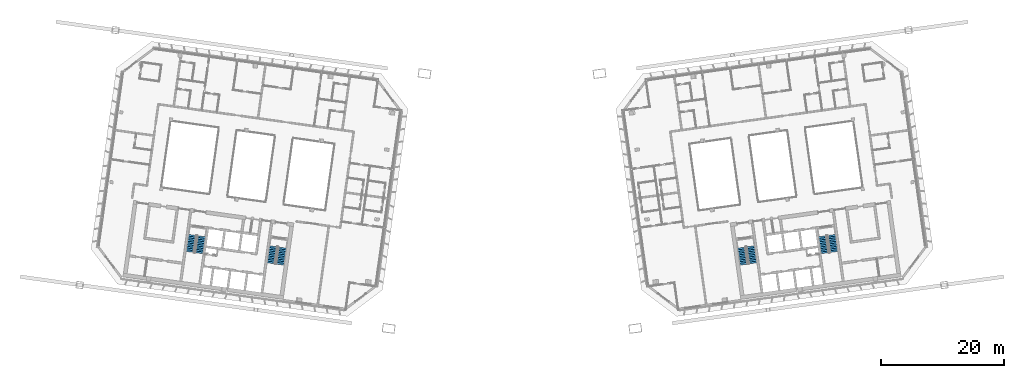
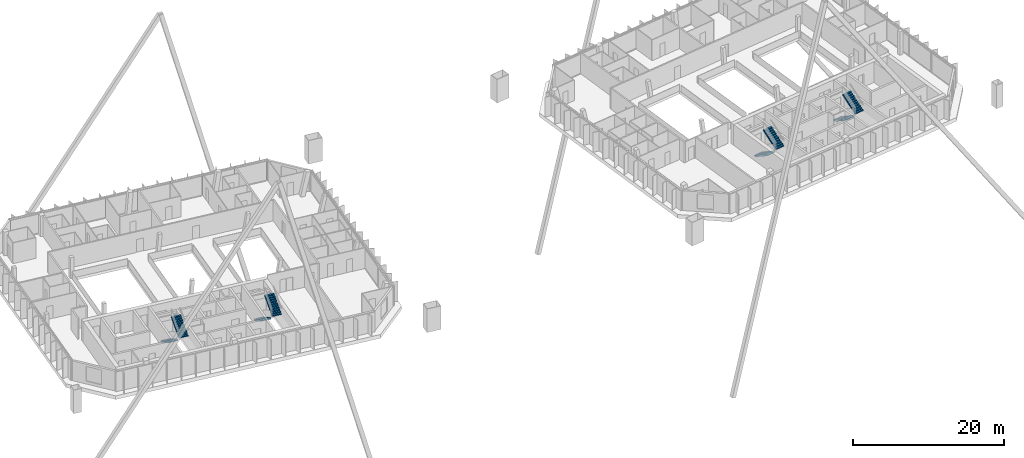
# One storey, part 26 of 28: 8 stair flights, 4 elements without a shape of their own.
"""IFC4 building model written with IfcOpenShell, lengths in metres."""

from ifc_helpers import new_model, si_unit, direction, frame, origin, place, context, subcontext, project, spatial, polyline, outline, extrude, material, type_object, element, aggregate, save


model = new_model("IFC4")

# Units and contexts
model_context = context("Model", 3, precision=1e-05, world=origin(), true_north=direction((0.0, 1.0)))
body_context = subcontext(model_context, "Body", "Model", "MODEL_VIEW")
ifc_project = project(units=[si_unit("LENGTHUNIT", "METRE"), si_unit("AREAUNIT", "SQUARE_METRE"), si_unit("VOLUMEUNIT", "CUBIC_METRE"), si_unit("PLANEANGLEUNIT", "RADIAN"), si_unit("MASSUNIT", "GRAM", prefix="KILO")], contexts=[model_context])

# Site, building, storey
site_placement = place(None, origin())
site = spatial("IfcSite", under=ifc_project, at=site_placement, CompositionType="ELEMENT")
building_placement = place(site_placement, origin())
building = spatial("IfcBuilding", under=site, at=building_placement, Name="Mirante Cascada Hotel Towers", CompositionType="ELEMENT")
storey_placement = place(building_placement, frame((0.0, 0.0, 243.2)))
storey = spatial("IfcBuildingStorey", under=building, at=storey_placement, Name="L58", CompositionType="ELEMENT", Elevation=243.2)

# Stair, stair flights
ifc_material_1 = material(Name="Concrete C35/45", Category="concrete")
stair_type = type_object("IfcStairType", Name="Exit stair half-turn 1350 concrete C35/45", PredefinedType="HALF_TURN_STAIR", material=ifc_material_1)
stair_1_placement = place(storey_placement, origin())
stair_1 = element("IfcStair", 1, at=stair_1_placement, inside=storey, type_object=stair_type, Name="L58 Exit stair A", PredefinedType="HALF_TURN_STAIR")
ifc_material_2 = material(Name="Concrete C35/45", Category="concrete")
stair_flight_type = type_object("IfcStairFlightType", Name="Exit stair flight 1350 concrete C35/45", PredefinedType="STRAIGHT", material=ifc_material_2)
stair_flight_1_placement = place(storey_placement, frame((-38.9417, -11.195, 0.0), z_axis=(0.0, 0.0, 1.0), x_axis=(-0.1391731, -0.9902681, 0.0)))
stair_flight_1 = element("IfcStairFlight", 2, at=stair_flight_1_placement, type_object=stair_flight_type, Name="ST1-A flight 1", NumberOfRisers=11, NumberOfTreads=10, PredefinedType="STRAIGHT", RiserHeight=0.172727273, TreadLength=0.28, context=body_context, shape_type="SweptSolid", body=[
    extrude(outline(polyline([(0.0, 0.0), (0.0, 0.1727), (0.28, 0.1727), (0.28, 0.3455), (0.56, 0.3455), (0.56, 0.5182), (0.84, 0.5182), (0.84, 0.6909), (1.12, 0.6909), (1.12, 0.8636), (1.4, 0.8636), (1.4, 1.0364), (1.68, 1.0364), (1.68, 1.2091), (1.96, 1.2091), (1.96, 1.3818), (2.24, 1.3818), (2.24, 1.5545), (2.52, 1.5545), (2.52, 1.7273), (2.8, 1.7273), (2.8, 1.9), (2.8, 1.551), (0.2857, 0.0), (0.0, 0.0)])), frame((0.0, 0.675, 0.0), z_axis=(0.0, -1.0, 0.0), x_axis=(1.0, 0.0, 0.0)), (0.0, 0.0, 1.0), 1.35),
])
stair_flight_2_placement = place(storey_placement, frame((-37.846, -14.1765, 1.9), z_axis=(0.0, 0.0, 1.0), x_axis=(0.1391731, 0.9902681, 0.0)))
stair_flight_2 = element("IfcStairFlight", 3, at=stair_flight_2_placement, type_object=stair_flight_type, Name="ST1-A flight 2", NumberOfRisers=11, NumberOfTreads=10, PredefinedType="STRAIGHT", RiserHeight=0.172727273, TreadLength=0.28, context=body_context, shape_type="SweptSolid", body=[
    extrude(outline(polyline([(0.0, 0.0), (0.0, 0.1727), (0.28, 0.1727), (0.28, 0.3455), (0.56, 0.3455), (0.56, 0.5182), (0.84, 0.5182), (0.84, 0.6909), (1.12, 0.6909), (1.12, 0.8636), (1.4, 0.8636), (1.4, 1.0364), (1.68, 1.0364), (1.68, 1.2091), (1.96, 1.2091), (1.96, 1.3818), (2.24, 1.3818), (2.24, 1.5545), (2.52, 1.5545), (2.52, 1.7273), (2.8, 1.7273), (2.8, 1.9), (2.8, 1.551), (0.2857, 0.0), (0.0, 0.0)])), frame((0.0, 0.675, 0.0), z_axis=(0.0, -1.0, 0.0), x_axis=(1.0, 0.0, 0.0)), (0.0, 0.0, 1.0), 1.35),
])
aggregate(stair_1, [stair_flight_1, stair_flight_2])

stair_2_placement = place(storey_placement, origin())
stair_2 = element("IfcStair", 4, at=stair_2_placement, inside=storey, type_object=stair_type, Name="L58 Exit stair B", PredefinedType="HALF_TURN_STAIR")
stair_flight_3_placement = place(storey_placement, frame((-52.1618, -9.3371, 0.0), z_axis=(0.0, 0.0, 1.0), x_axis=(-0.1391731, -0.9902681, 0.0)))
stair_flight_3 = element("IfcStairFlight", 5, at=stair_flight_3_placement, type_object=stair_flight_type, Name="ST1-B flight 1", NumberOfRisers=11, NumberOfTreads=10, PredefinedType="STRAIGHT", RiserHeight=0.172727273, TreadLength=0.28, context=body_context, shape_type="SweptSolid", body=[
    extrude(outline(polyline([(0.0, 0.0), (0.0, 0.1727), (0.28, 0.1727), (0.28, 0.3455), (0.56, 0.3455), (0.56, 0.5182), (0.84, 0.5182), (0.84, 0.6909), (1.12, 0.6909), (1.12, 0.8636), (1.4, 0.8636), (1.4, 1.0364), (1.68, 1.0364), (1.68, 1.2091), (1.96, 1.2091), (1.96, 1.3818), (2.24, 1.3818), (2.24, 1.5545), (2.52, 1.5545), (2.52, 1.7273), (2.8, 1.7273), (2.8, 1.9), (2.8, 1.551), (0.2857, 0.0), (0.0, 0.0)])), frame((0.0, 0.675, 0.0), z_axis=(0.0, -1.0, 0.0), x_axis=(1.0, 0.0, 0.0)), (0.0, 0.0, 1.0), 1.35),
])
stair_flight_4_placement = place(storey_placement, frame((-51.0661, -12.3186, 1.9), z_axis=(0.0, 0.0, 1.0), x_axis=(0.1391731, 0.9902681, 0.0)))
stair_flight_4 = element("IfcStairFlight", 6, at=stair_flight_4_placement, type_object=stair_flight_type, Name="ST1-B flight 2", NumberOfRisers=11, NumberOfTreads=10, PredefinedType="STRAIGHT", RiserHeight=0.172727273, TreadLength=0.28, context=body_context, shape_type="SweptSolid", body=[
    extrude(outline(polyline([(0.0, 0.0), (0.0, 0.1727), (0.28, 0.1727), (0.28, 0.3455), (0.56, 0.3455), (0.56, 0.5182), (0.84, 0.5182), (0.84, 0.6909), (1.12, 0.6909), (1.12, 0.8636), (1.4, 0.8636), (1.4, 1.0364), (1.68, 1.0364), (1.68, 1.2091), (1.96, 1.2091), (1.96, 1.3818), (2.24, 1.3818), (2.24, 1.5545), (2.52, 1.5545), (2.52, 1.7273), (2.8, 1.7273), (2.8, 1.9), (2.8, 1.551), (0.2857, 0.0), (0.0, 0.0)])), frame((0.0, 0.675, 0.0), z_axis=(0.0, -1.0, 0.0), x_axis=(1.0, 0.0, 0.0)), (0.0, 0.0, 1.0), 1.35),
])
aggregate(stair_2, [stair_flight_3, stair_flight_4])

stair_3_placement = place(storey_placement, origin())
stair_3 = element("IfcStair", 7, at=stair_3_placement, inside=storey, type_object=stair_type, Name="L58 Exit stair A", PredefinedType="HALF_TURN_STAIR")
stair_flight_5_placement = place(storey_placement, frame((37.4563, -11.4038, 0.0), z_axis=(0.0, 0.0, 1.0), x_axis=(0.1391731, -0.9902681, 0.0)))
stair_flight_5 = element("IfcStairFlight", 8, at=stair_flight_5_placement, type_object=stair_flight_type, Name="ST2-A flight 1", NumberOfRisers=11, NumberOfTreads=10, PredefinedType="STRAIGHT", RiserHeight=0.172727273, TreadLength=0.28, context=body_context, shape_type="SweptSolid", body=[
    extrude(outline(polyline([(0.0, 0.0), (0.0, 0.1727), (0.28, 0.1727), (0.28, 0.3455), (0.56, 0.3455), (0.56, 0.5182), (0.84, 0.5182), (0.84, 0.6909), (1.12, 0.6909), (1.12, 0.8636), (1.4, 0.8636), (1.4, 1.0364), (1.68, 1.0364), (1.68, 1.2091), (1.96, 1.2091), (1.96, 1.3818), (2.24, 1.3818), (2.24, 1.5545), (2.52, 1.5545), (2.52, 1.7273), (2.8, 1.7273), (2.8, 1.9), (2.8, 1.551), (0.2857, 0.0), (0.0, 0.0)])), frame((0.0, 0.675, 0.0), z_axis=(0.0, -1.0, 0.0), x_axis=(1.0, 0.0, 0.0)), (0.0, 0.0, 1.0), 1.35),
])
stair_flight_6_placement = place(storey_placement, frame((39.3314, -13.9678, 1.9), z_axis=(0.0, 0.0, 1.0), x_axis=(-0.1391731, 0.9902681, 0.0)))
stair_flight_6 = element("IfcStairFlight", 9, at=stair_flight_6_placement, type_object=stair_flight_type, Name="ST2-A flight 2", NumberOfRisers=11, NumberOfTreads=10, PredefinedType="STRAIGHT", RiserHeight=0.172727273, TreadLength=0.28, context=body_context, shape_type="SweptSolid", body=[
    extrude(outline(polyline([(0.0, 0.0), (0.0, 0.1727), (0.28, 0.1727), (0.28, 0.3455), (0.56, 0.3455), (0.56, 0.5182), (0.84, 0.5182), (0.84, 0.6909), (1.12, 0.6909), (1.12, 0.8636), (1.4, 0.8636), (1.4, 1.0364), (1.68, 1.0364), (1.68, 1.2091), (1.96, 1.2091), (1.96, 1.3818), (2.24, 1.3818), (2.24, 1.5545), (2.52, 1.5545), (2.52, 1.7273), (2.8, 1.7273), (2.8, 1.9), (2.8, 1.551), (0.2857, 0.0), (0.0, 0.0)])), frame((0.0, 0.675, 0.0), z_axis=(0.0, -1.0, 0.0), x_axis=(1.0, 0.0, 0.0)), (0.0, 0.0, 1.0), 1.35),
])
aggregate(stair_3, [stair_flight_5, stair_flight_6])

stair_4_placement = place(storey_placement, origin())
stair_4 = element("IfcStair", 10, at=stair_4_placement, inside=storey, type_object=stair_type, Name="L58 Exit stair B", PredefinedType="HALF_TURN_STAIR")
stair_flight_7_placement = place(storey_placement, frame((50.6764, -9.5458, 0.0), z_axis=(0.0, 0.0, 1.0), x_axis=(0.1391731, -0.9902681, 0.0)))
stair_flight_7 = element("IfcStairFlight", 11, at=stair_flight_7_placement, type_object=stair_flight_type, Name="ST2-B flight 1", NumberOfRisers=11, NumberOfTreads=10, PredefinedType="STRAIGHT", RiserHeight=0.172727273, TreadLength=0.28, context=body_context, shape_type="SweptSolid", body=[
    extrude(outline(polyline([(0.0, 0.0), (0.0, 0.1727), (0.28, 0.1727), (0.28, 0.3455), (0.56, 0.3455), (0.56, 0.5182), (0.84, 0.5182), (0.84, 0.6909), (1.12, 0.6909), (1.12, 0.8636), (1.4, 0.8636), (1.4, 1.0364), (1.68, 1.0364), (1.68, 1.2091), (1.96, 1.2091), (1.96, 1.3818), (2.24, 1.3818), (2.24, 1.5545), (2.52, 1.5545), (2.52, 1.7273), (2.8, 1.7273), (2.8, 1.9), (2.8, 1.551), (0.2857, 0.0), (0.0, 0.0)])), frame((0.0, 0.675, 0.0), z_axis=(0.0, -1.0, 0.0), x_axis=(1.0, 0.0, 0.0)), (0.0, 0.0, 1.0), 1.35),
])
stair_flight_8_placement = place(storey_placement, frame((52.5515, -12.1098, 1.9), z_axis=(0.0, 0.0, 1.0), x_axis=(-0.1391731, 0.9902681, 0.0)))
stair_flight_8 = element("IfcStairFlight", 12, at=stair_flight_8_placement, type_object=stair_flight_type, Name="ST2-B flight 2", NumberOfRisers=11, NumberOfTreads=10, PredefinedType="STRAIGHT", RiserHeight=0.172727273, TreadLength=0.28, context=body_context, shape_type="SweptSolid", body=[
    extrude(outline(polyline([(0.0, 0.0), (0.0, 0.1727), (0.28, 0.1727), (0.28, 0.3455), (0.56, 0.3455), (0.56, 0.5182), (0.84, 0.5182), (0.84, 0.6909), (1.12, 0.6909), (1.12, 0.8636), (1.4, 0.8636), (1.4, 1.0364), (1.68, 1.0364), (1.68, 1.2091), (1.96, 1.2091), (1.96, 1.3818), (2.24, 1.3818), (2.24, 1.5545), (2.52, 1.5545), (2.52, 1.7273), (2.8, 1.7273), (2.8, 1.9), (2.8, 1.551), (0.2857, 0.0), (0.0, 0.0)])), frame((0.0, 0.675, 0.0), z_axis=(0.0, -1.0, 0.0), x_axis=(1.0, 0.0, 0.0)), (0.0, 0.0, 1.0), 1.35),
])
aggregate(stair_4, [stair_flight_7, stair_flight_8])

save(model, "model.ifc")
